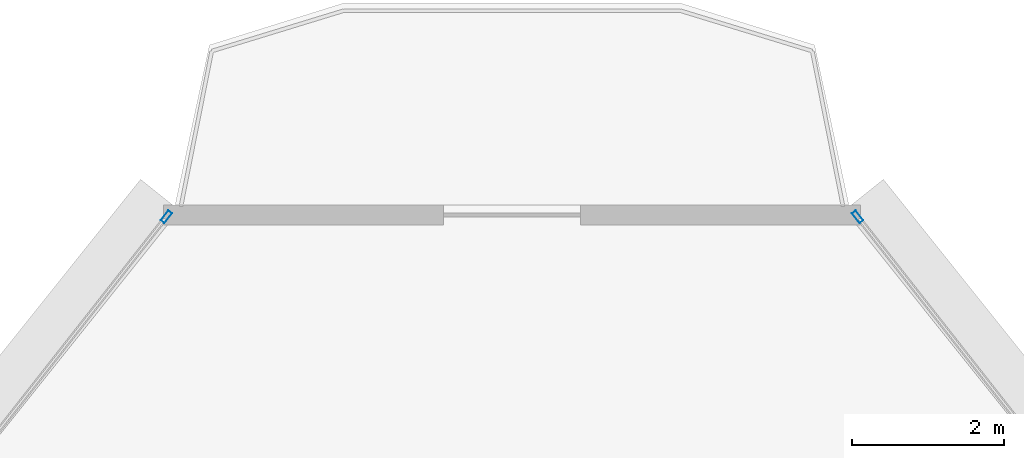
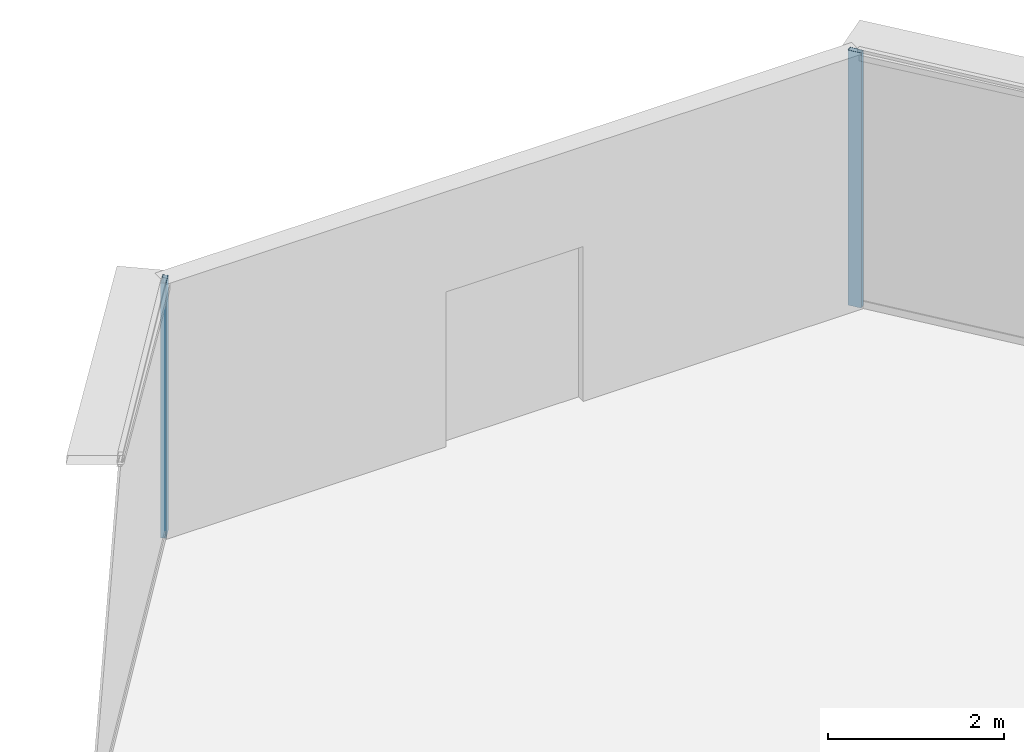
# One storey, part 26 of 36: 2 members, 2 elements without a shape of their own.
"""IFC4 building model written with IfcOpenShell, lengths in metres."""

from ifc_helpers import new_model, si_unit, direction, frame, origin, origin_2d, place, context, subcontext, project, spatial, hollow_rectangle, extrude, source, transform, mapped, material, layer, layer_set, material_profile, profile_set, type_object, element, aggregate, save


model = new_model("IFC4")

# Units and contexts
model_context = context("Model", 3, precision=1e-05, world=origin(), true_north=direction((0.0, 1.0)))
body_context = subcontext(model_context, "Body", "Model", "MODEL_VIEW")
ifc_project = project(units=[si_unit("LENGTHUNIT", "METRE"), si_unit("AREAUNIT", "SQUARE_METRE"), si_unit("VOLUMEUNIT", "CUBIC_METRE"), si_unit("PLANEANGLEUNIT", "RADIAN"), si_unit("MASSUNIT", "GRAM", prefix="KILO"), si_unit("THERMODYNAMICTEMPERATUREUNIT", "KELVIN"), si_unit("POWERUNIT", "WATT")], contexts=[model_context])

# Site, building, storey
site_placement = place(None, origin())
site = spatial("IfcSite", under=ifc_project, at=site_placement, CompositionType="ELEMENT")
building_placement = place(site_placement, origin())
building = spatial("IfcBuilding", under=site, at=building_placement, Name="Yunzhuo Pagoda Commons", CompositionType="ELEMENT")
storey_placement = place(building_placement, frame((0.0, 0.0, 107.780029296875)))
storey = spatial("IfcBuildingStorey", under=building, at=storey_placement, Name="L27", CompositionType="ELEMENT", Elevation=107.780029296875)

# Curtain wall, member
ifc_material = material(Name="Anodized aluminium 6063-T6", Category="aluminium")
ifc_layer = layer(ifc_material, 0.1650390625)
ifc_layer_set = layer_set([ifc_layer], Name="Anodized aluminium 6063-T6")
curtain_wall_type = type_object("IfcCurtainWallType", Name="CW-LOW Low-Zone Ribbon Curtain Wall", PredefinedType="NOTDEFINED", material=ifc_layer_set)
curtain_wall_1_placement = place(storey_placement, origin())
curtain_wall_1 = element("IfcCurtainWall", 1, at=curtain_wall_1_placement, inside=storey, type_object=curtain_wall_type, Name="L27 curtain wall CW-L27-F2B5", PredefinedType="NOTDEFINED")
ifc_material_profile = material_profile(ifc_material, hollow_rectangle(XDim=0.06494140625, YDim=0.1650390625, WallThickness=0.00390625, at=origin_2d()), Name="Anodized aluminium 6063-T6")
ifc_profile_set = profile_set([ifc_material_profile], Name="Anodized aluminium 6063-T6")
member_type = type_object("IfcMemberType", Name="CW-LOW-M Mullion RHS 165x65x4", PredefinedType="MULLION", material=ifc_profile_set)
shared_shape = source(origin(), body_context, "Body", "SweptSolid", [
    extrude(hollow_rectangle(XDim=0.06494140625, YDim=0.1650390625, WallThickness=0.00390625, at=origin_2d()), origin(), (0.0, 0.0, 1.0), 3.5400390625),
])
member_1_placement = place(storey_placement, frame((52.537109375, 86.463623046875, 0.0), z_axis=(0.0, 0.0, 1.0), x_axis=(-0.786301112862, -0.617843475253, 0.0)))
member_1 = element("IfcMember", 2, at=member_1_placement, type_object=member_type, Name="CW mullion 2", PredefinedType="MULLION", context=body_context, shape_type="MappedRepresentation", body=[
    mapped(shared_shape, transform((0.0, 0.0, 0.0), scale=1.0)),
])
aggregate(curtain_wall_1, [member_1])

curtain_wall_2_placement = place(storey_placement, origin())
curtain_wall_2 = element("IfcCurtainWall", 3, at=curtain_wall_2_placement, inside=storey, type_object=curtain_wall_type, Name="L27 curtain wall CW-L27-F3B1", PredefinedType="NOTDEFINED")
member_2_placement = place(storey_placement, frame((43.462890625, 86.463623046875, 0.0), z_axis=(0.0, 0.0, 1.0), x_axis=(0.786301112862, -0.617843475253, 0.0)))
member_2 = element("IfcMember", 4, at=member_2_placement, type_object=member_type, Name="CW mullion 1", PredefinedType="MULLION", context=body_context, shape_type="MappedRepresentation", body=[
    mapped(shared_shape, transform((0.0, 0.0, 0.0), scale=1.0)),
])
aggregate(curtain_wall_2, [member_2])

save(model, "model.ifc")
